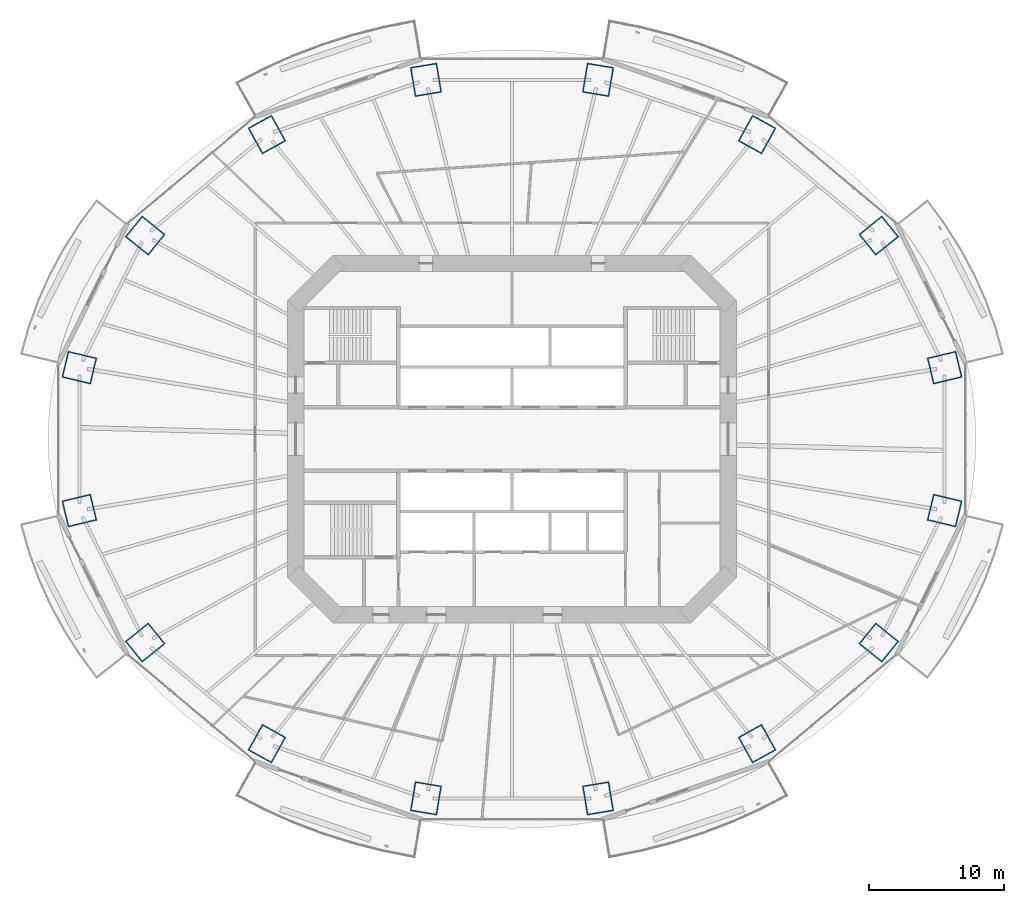
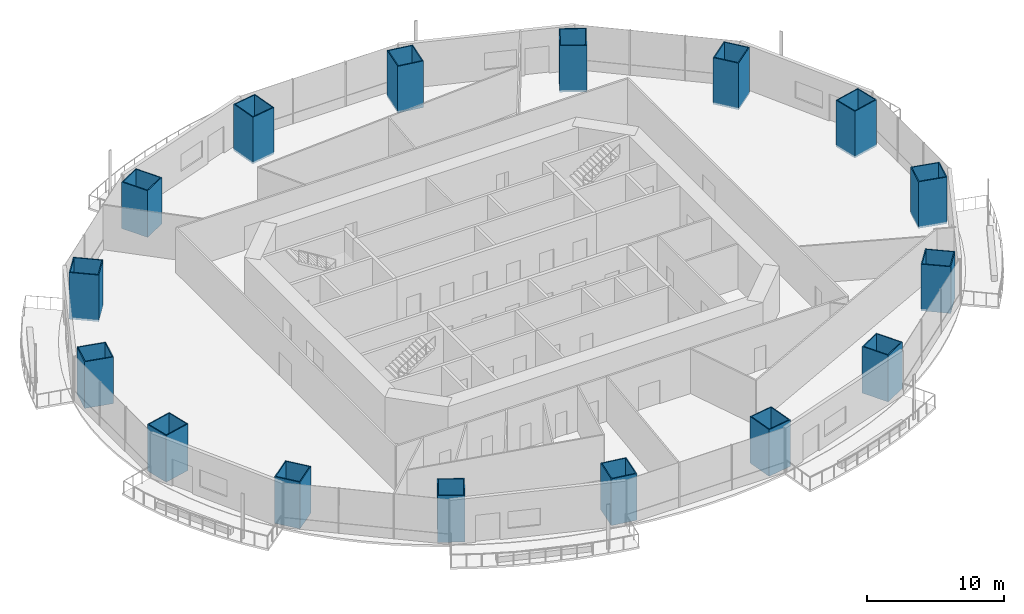
# One storey, part 1 of 22: 16 columns.
"""IFC4 building model written with IfcOpenShell, lengths in metres."""

from ifc_helpers import new_model, si_unit, direction, frame, origin, origin_2d, place, context, subcontext, project, spatial, rectangle, hollow_rectangle, extrude, material, material_profile, profile_set, type_object, element, save


model = new_model("IFC4")

# Units and contexts
model_context = context("Model", 3, precision=1e-05, world=origin(), true_north=direction((0.0, 1.0)))
body_context = subcontext(model_context, "Body", "Model", "MODEL_VIEW")
ifc_project = project(units=[si_unit("LENGTHUNIT", "METRE"), si_unit("AREAUNIT", "SQUARE_METRE"), si_unit("VOLUMEUNIT", "CUBIC_METRE"), si_unit("PLANEANGLEUNIT", "RADIAN"), si_unit("MASSUNIT", "GRAM", prefix="KILO")], contexts=[model_context])

# Site, building, storey
site_placement = place(None, origin())
site = spatial("IfcSite", under=ifc_project, at=site_placement, CompositionType="ELEMENT")
building_placement = place(site_placement, origin())
building = spatial("IfcBuilding", under=site, at=building_placement, Name="Marenthal Gate Tower", CompositionType="ELEMENT")
storey_placement = place(building_placement, frame((0.0, 0.0, 111.85009765625)))
storey = spatial("IfcBuildingStorey", under=building, at=storey_placement, Name="L23", CompositionType="ELEMENT", Elevation=111.85009765625)

# Columns
ifc_material_1 = material(Name="Steel S460", Category="steel")
ifc_material_profile_1 = material_profile(ifc_material_1, hollow_rectangle(XDim=2.0, YDim=2.199951171875, WallThickness=0.080078125, at=origin_2d()), Name="CFT BOX 2200X2000X80")
ifc_material_2 = material(Name="Concrete 70 MPa", Category="concrete")
ifc_material_profile_2 = material_profile(ifc_material_2, rectangle(XDim=1.840087890625, YDim=2.0400390625, at=origin_2d()), Name="CFT BOX 2200X2000X80 INFILL")
ifc_profile_set = profile_set([ifc_material_profile_1, ifc_material_profile_2], Name="Steel S460 shell, Concrete 70 MPa infill")
column_type = type_object("IfcColumnType", Name="CFT BOX 2200X2000X80", PredefinedType="COLUMN", material=ifc_profile_set)
for number, where, z_axis, x_axis, name in (
    (1, (32.018798828125, 5.28857421875, -0.18017578125), (0.0, 0.0, 1.0), (0.232958265263, -0.972486733403, 0.0), "COL-L23-01"),
    (2, (27.144287109375, 15.060302734375, -0.18017578125), (0.0, 0.0, 1.0), (0.626917966941, -0.779085273078, 0.0), "COL-L23-02"),
    (3, (18.13720703125, 22.53955078125, -0.18017578125), (0.0, 0.0, 1.0), (0.874426715146, -0.485157623706, 0.0), "COL-L23-03"),
    (4, (6.368896484375, 26.587158203125, -0.18017578125), (0.0, 0.0, 1.0), (0.986632526278, -0.1629609097, 0.0), "COL-L23-04"),
    (5, (-6.368896484375, 26.587158203125, -0.18017578125), (0.0, 0.0, 1.0), (0.986632526278, 0.1629609097, 0.0), "COL-L23-05"),
    (6, (-18.13720703125, 22.53955078125, -0.18017578125), (0.0, 0.0, 1.0), (0.874426715146, 0.485157623706, 0.0), "COL-L23-06"),
    (7, (-27.144287109375, 15.060302734375, -0.18017578125), (0.0, 0.0, 1.0), (0.626917966941, 0.779085273078, 0.0), "COL-L23-07"),
    (8, (-32.018798828125, 5.28857421875, -0.18017578125), (0.0, 0.0, 1.0), (0.232958265263, 0.972486733403, 0.0), "COL-L23-08"),
    (9, (-32.018798828125, -5.28857421875, -0.18017578125), (0.0, 0.0, 1.0), (-0.232958265263, 0.972486733403, 0.0), "COL-L23-09"),
    (10, (-27.144287109375, -15.060302734375, -0.18017578125), (0.0, 0.0, 1.0), (-0.626917966941, 0.779085273078, 0.0), "COL-L23-10"),
    (11, (-18.13720703125, -22.53955078125, -0.18017578125), (0.0, 0.0, 1.0), (-0.874426715146, 0.485157623706, 0.0), "COL-L23-11"),
    (12, (-6.368896484375, -26.587158203125, -0.18017578125), (0.0, 0.0, 1.0), (-0.986632526278, 0.1629609097, 0.0), "COL-L23-12"),
    (13, (6.368896484375, -26.587158203125, -0.18017578125), (0.0, 0.0, 1.0), (-0.986632526278, -0.1629609097, 0.0), "COL-L23-13"),
    (14, (18.13720703125, -22.53955078125, -0.18017578125), (0.0, 0.0, 1.0), (-0.874426715146, -0.485157623706, 0.0), "COL-L23-14"),
    (15, (27.144287109375, -15.060302734375, -0.18017578125), (0.0, 0.0, 1.0), (-0.626917966941, -0.779085273078, 0.0), "COL-L23-15"),
    (16, (32.018798828125, -5.28857421875, -0.18017578125), (0.0, 0.0, 1.0), (-0.232958265263, -0.972486733403, 0.0), "COL-L23-16"),
):
    element("IfcColumn", number, at=place(storey_placement, frame(where, z_axis=z_axis, x_axis=x_axis)), inside=storey, type_object=column_type, Name=name, PredefinedType="COLUMN", context=body_context, shape_type="SweptSolid", body=[
        extrude(hollow_rectangle(XDim=2.0, YDim=2.199951171875, WallThickness=0.080078125, at=origin_2d()), origin(), (0.0, 0.0, 1.0), 4.150146484375),
    ])

save(model, "model.ifc")
